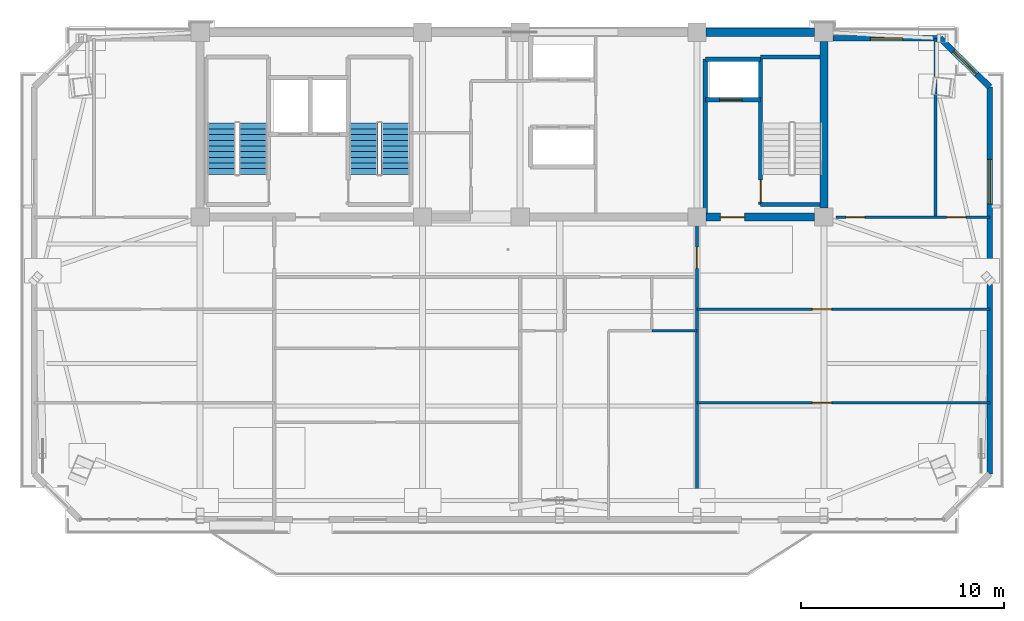
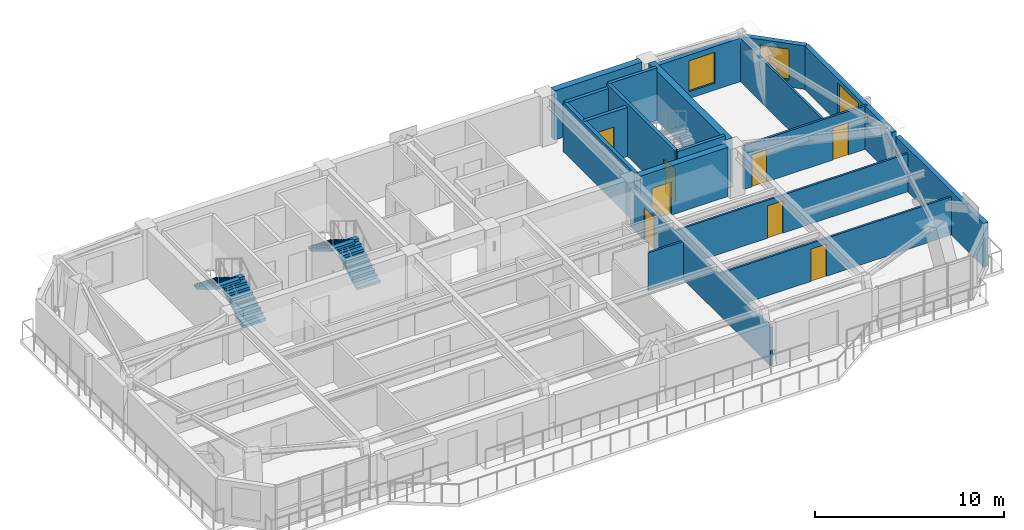
# One storey, part 8 of 12: 19 walls, 8 doors, 4 stair flights, 3 windows, 11 openings, 2 elements without a shape of their own.
"""IFC4 building model written with IfcOpenShell, lengths in metres."""

from ifc_helpers import new_model, si_unit, direction, frame, frame_2d, origin, place, context, subcontext, project, spatial, polyline, rectangle, outline, extrude, source, transform, mapped, material, layer, layer_set, type_object, element, fill, aggregate, save


model = new_model("IFC4")

# Units and contexts
model_context = context("Model", 3, precision=1e-05, world=origin(), true_north=direction((0.0, 1.0)))
body_context = subcontext(model_context, "Body", "Model", "MODEL_VIEW")
ifc_project = project(units=[si_unit("LENGTHUNIT", "METRE"), si_unit("AREAUNIT", "SQUARE_METRE"), si_unit("VOLUMEUNIT", "CUBIC_METRE"), si_unit("PLANEANGLEUNIT", "RADIAN"), si_unit("MASSUNIT", "GRAM", prefix="KILO")], contexts=[model_context])

# Site, building, storey
site_placement = place(None, origin())
site = spatial("IfcSite", under=ifc_project, at=site_placement, CompositionType="ELEMENT")
building_placement = place(site_placement, origin())
building = spatial("IfcBuilding", under=site, at=building_placement, Name="Giltprow Tower", CompositionType="ELEMENT")
storey_placement = place(building_placement, frame((0.0, 0.0, 342.5)))
storey = spatial("IfcBuildingStorey", under=building, at=storey_placement, Name="L89", CompositionType="ELEMENT", Elevation=342.5)

# Wall, opening, window
ifc_material_1 = material(Name="Precast concrete C40", Category="concrete")
ifc_layer_1 = layer(ifc_material_1, 0.300048828125, Name="Precast concrete C40")
ifc_layer_set_1 = layer_set([ifc_layer_1], Name="Precast concrete C40")
wall_type_1 = type_object("IfcWallType", Name="EW-NOTCH-CHAMFER-300", PredefinedType="SOLIDWALL", material=ifc_layer_set_1)
wall_1_placement = place(storey_placement, frame((58.715087890625, 43.85400390625, 0.0), z_axis=(0.0, 0.0, 1.0), x_axis=(-0.714377494024, 0.699760527632, 0.0)))
wall_1 = element("IfcWall", 1, at=wall_1_placement, inside=storey, type_object=wall_type_1, Name="L89 Corner Notch Wall NE", PredefinedType="SOLIDWALL", context=body_context, shape_type="SweptSolid", body=[
    extrude(rectangle(XDim=3.424072265625, YDim=0.300048828125, at=frame_2d((1.7119140625, 0.0))), origin(), (0.0, 0.0, 1.0), 2.81494140625),
])
opening_1_placement = place(wall_1_placement, frame((0.912109375, 0.0, 0.449951171875)))
opening_1 = element("IfcOpeningElement", 2, at=opening_1_placement, cuts=wall_1, Name="Opening WN17", PredefinedType="OPENING", context=body_context, shape_type="SweptSolid", body=[
    extrude(rectangle(XDim=1.60009765625, YDim=2.0, at=frame_2d((0.800048828125, 1.0))), frame((0.0, 0.159912109375, 0.0), z_axis=(0.0, -1.0, 0.0), x_axis=(1.0, 0.0, 0.0)), (0.0, 0.0, 1.0), 0.320068359375),
])
ifc_material_2 = material(Name="Insulated glass", Category="glass")
window_type_1 = type_object("IfcWindowType", Name="WN-COR-1600x2000", PartitioningType="SINGLE_PANEL", PredefinedType="WINDOW", material=ifc_material_2)
shared_shape_1 = source(origin(), body_context, "Body", "SweptSolid", [
    extrude(rectangle(XDim=1.60009765625, YDim=2.0, at=frame_2d((0.800048828125, 1.0))), frame((0.0, 0.030029296875, 0.0), z_axis=(0.0, -1.0, 0.0), x_axis=(1.0, 0.0, 0.0)), (0.0, 0.0, 1.0), 0.06005859375),
])
window_1_placement = place(opening_1_placement, origin())
window_1 = element("IfcWindow", 3, at=window_1_placement, inside=storey, type_object=window_type_1, Name="L89 Corner Notch Window NE", OverallHeight=2.0, OverallWidth=1.60009765625, PartitioningType="SINGLE_PANEL", PredefinedType="WINDOW", context=body_context, shape_type="MappedRepresentation", body=[
    mapped(shared_shape_1, transform((0.0, 0.0, 0.0), x_axis=(1.0, 0.0, 0.0), y_axis=(0.0, 1.0, 0.0), z_axis=(0.0, 0.0, 1.0), scale=1.0)),
])
fill(opening_1, window_1)

# Wall
ifc_layer_2 = layer(ifc_material_1, 0.280029296875, Name="Precast concrete C40")
ifc_layer_set_2 = layer_set([ifc_layer_2], Name="Precast concrete C40")
wall_type_2 = type_object("IfcWallType", Name="EW-TOW-BRONZE-280", PredefinedType="SOLIDWALL", material=ifc_layer_set_2)
wall_2_placement = place(storey_placement, frame((58.715087890625, 24.81396484375, 0.0), z_axis=(0.0, 0.0, 1.0), x_axis=(0.0, 1.0, 0.0)))
element("IfcWall", 4, at=wall_2_placement, inside=storey, type_object=wall_type_2, Name="L89 E Wing Masonry Wall 1", PredefinedType="SOLIDWALL", context=body_context, shape_type="SweptSolid", body=[
    extrude(rectangle(XDim=9.320068359375, YDim=0.280029296875, at=frame_2d((4.66015625, 0.0))), origin(), (0.0, 0.0, 1.0), 2.81494140625),
])

# Wall, opening, window
wall_3_placement = place(storey_placement, frame((58.715087890625, 34.533935546875, 0.0), z_axis=(0.0, 0.0, 1.0), x_axis=(0.0, 1.0, 0.0)))
wall_3 = element("IfcWall", 5, at=wall_3_placement, inside=storey, type_object=wall_type_2, Name="L89 E Wing Masonry Wall 2", PredefinedType="SOLIDWALL", context=body_context, shape_type="SweptSolid", body=[
    extrude(rectangle(XDim=9.320068359375, YDim=0.280029296875, at=frame_2d((4.66015625, 0.0))), origin(), (0.0, 0.0, 1.0), 2.81494140625),
])
opening_2_placement = place(wall_3_placement, frame((3.56005859375, 0.0, 0.449951171875)))
opening_2 = element("IfcOpeningElement", 6, at=opening_2_placement, cuts=wall_3, Name="Opening WN27", PredefinedType="OPENING", context=body_context, shape_type="SweptSolid", body=[
    extrude(rectangle(XDim=2.199951171875, YDim=2.10009765625, at=frame_2d((1.10009765625, 1.050048828125))), frame((0.0, 0.14990234375, 0.0), z_axis=(0.0, -1.0, 0.0), x_axis=(1.0, 0.0, 0.0)), (0.0, 0.0, 1.0), 0.300048828125),
])
window_type_2 = type_object("IfcWindowType", Name="WN-RES-2200x2100", PartitioningType="TRIPLE_PANEL_VERTICAL", PredefinedType="WINDOW", material=ifc_material_2)
shared_shape_2 = source(origin(), body_context, "Body", "SweptSolid", [
    extrude(rectangle(XDim=2.199951171875, YDim=2.10009765625, at=frame_2d((1.10009765625, 1.050048828125))), frame((0.0, 0.030029296875, 0.0), z_axis=(0.0, -1.0, 0.0), x_axis=(1.0, 0.0, 0.0)), (0.0, 0.0, 1.0), 0.06005859375),
])
window_2_placement = place(opening_2_placement, origin())
window_2 = element("IfcWindow", 7, at=window_2_placement, inside=storey, type_object=window_type_2, Name="L89 E Wing Window 2-1", OverallHeight=2.10009765625, OverallWidth=2.199951171875, PartitioningType="SINGLE_PANEL", PredefinedType="WINDOW", context=body_context, shape_type="MappedRepresentation", body=[
    mapped(shared_shape_2, transform((0.0, 0.0, 0.0), x_axis=(1.0, 0.0, 0.0), y_axis=(0.0, 1.0, 0.0), z_axis=(0.0, 0.0, 1.0), scale=1.0)),
])
fill(opening_2, window_2)

wall_4_placement = place(storey_placement, frame((51.0, 46.25, 0.0), z_axis=(0.0, 0.0, 1.0), x_axis=(1.0, 0.0, 0.0)))
wall_4 = element("IfcWall", 8, at=wall_4_placement, inside=storey, type_object=wall_type_2, Name="L89 North-East Wing Wall", PredefinedType="SOLIDWALL", context=body_context, shape_type="SweptSolid", body=[
    extrude(rectangle(XDim=5.26904296875, YDim=0.280029296875, at=frame_2d((2.634521484375, 0.0))), origin(), (0.0, 0.0, 1.0), 2.81494140625),
])
opening_3_placement = place(wall_4_placement, frame((1.833984375, 0.0, 0.449951171875)))
opening_3 = element("IfcOpeningElement", 9, at=opening_3_placement, cuts=wall_4, Name="Opening WN17", PredefinedType="OPENING", context=body_context, shape_type="SweptSolid", body=[
    extrude(rectangle(XDim=1.60009765625, YDim=2.0, at=frame_2d((0.800048828125, 1.0))), frame((0.0, 0.14990234375, 0.0), z_axis=(0.0, -1.0, 0.0), x_axis=(1.0, 0.0, 0.0)), (0.0, 0.0, 1.0), 0.300048828125),
])
window_3_placement = place(opening_3_placement, origin())
window_3 = element("IfcWindow", 10, at=window_3_placement, inside=storey, type_object=window_type_1, Name="L89 North-East Window", OverallHeight=2.0, OverallWidth=1.60009765625, PartitioningType="SINGLE_PANEL", PredefinedType="WINDOW", context=body_context, shape_type="MappedRepresentation", body=[
    mapped(shared_shape_1, transform((0.0, 0.0, 0.0), x_axis=(1.0, 0.0, 0.0), y_axis=(0.0, 1.0, 0.0), z_axis=(0.0, 0.0, 1.0), scale=1.0)),
])
fill(opening_3, window_3)

# Wall, opening, door
ifc_material_3 = material(Name="Gypsum stud partition", Category="gypsum")
ifc_layer_3 = layer(ifc_material_3, 0.159912109375, Name="Gypsum stud partition")
ifc_layer_set_3 = layer_set([ifc_layer_3], Name="Gypsum stud partition")
wall_type_3 = type_object("IfcWallType", Name="IW-DEMISE-160", PredefinedType="PARTITIONING", material=ifc_layer_set_3)
wall_5_placement = place(storey_placement, frame((44.300048828125, 22.568115234375, 0.0), z_axis=(0.0, 0.0, 1.0), x_axis=(0.0, 1.0, 0.0)))
wall_5 = element("IfcWall", 11, at=wall_5_placement, inside=storey, type_object=wall_type_3, Name="L89 Apartment Party Wall 3", PredefinedType="PARTITIONING", context=body_context, shape_type="SweptSolid", body=[
    extrude(rectangle(XDim=14.8818359375, YDim=0.159912109375, at=frame_2d((7.44091796875, 0.0))), origin(), (0.0, 0.0, 1.0), 2.469970703125),
])
opening_4_placement = place(wall_5_placement, frame((12.35205078125, 0.0, 0.0)))
opening_4 = element("IfcOpeningElement", 12, at=opening_4_placement, cuts=wall_5, Name="Opening ID31", PredefinedType="OPENING", context=body_context, shape_type="SweptSolid", body=[
    extrude(rectangle(XDim=1.050048828125, YDim=2.14990234375, at=frame_2d((0.52490234375, 1.074951171875))), frame((0.0, 0.08984375, 0.0), z_axis=(0.0, -1.0, 0.0), x_axis=(1.0, 0.0, 0.0)), (0.0, 0.0, 1.0), 0.179931640625),
])
ifc_material_4 = material(Name="Engineered timber", Category="wood")
door_type_1 = type_object("IfcDoorType", Name="DR-SUITE-1050", OperationType="SINGLE_SWING_LEFT", PredefinedType="DOOR", material=ifc_material_4)
shared_shape_3 = source(origin(), body_context, "Body", "SweptSolid", [
    extrude(rectangle(XDim=1.050048828125, YDim=2.14990234375, at=frame_2d((0.52490234375, 1.074951171875))), frame((0.0, 0.02490234375, 0.0), z_axis=(0.0, -1.0, 0.0), x_axis=(1.0, 0.0, 0.0)), (0.0, 0.0, 1.0), 0.050048828125),
])
door_1_placement = place(opening_4_placement, origin())
door_1 = element("IfcDoor", 13, at=door_1_placement, inside=storey, type_object=door_type_1, Name="L89 Rare Books Boutique Shop 2 Corridor End Door", OperationType="SINGLE_SWING_LEFT", OverallHeight=2.14990234375, OverallWidth=1.050048828125, PredefinedType="DOOR", context=body_context, shape_type="MappedRepresentation", body=[
    mapped(shared_shape_3, transform((0.0, 0.0, 0.0), x_axis=(1.0, 0.0, 0.0), y_axis=(0.0, 1.0, 0.0), z_axis=(0.0, 0.0, 1.0), scale=1.0)),
])
fill(opening_4, door_1)

ifc_layer_4 = layer(ifc_material_3, 0.1201171875, Name="Gypsum stud partition")
ifc_layer_set_4 = layer_set([ifc_layer_4], Name="Gypsum stud partition")
wall_type_4 = type_object("IfcWallType", Name="IW-ROOM-120", PredefinedType="PARTITIONING", material=ifc_layer_set_4)
wall_6_placement = place(storey_placement, frame((44.300048828125, 28.306884765625, 0.0), z_axis=(0.0, 0.0, 1.0), x_axis=(1.0, 0.0, 0.0)))
wall_6 = element("IfcWall", 14, at=wall_6_placement, inside=storey, type_object=wall_type_4, Name="L89 Special Split 1", PredefinedType="PARTITIONING", context=body_context, shape_type="SweptSolid", body=[
    extrude(rectangle(XDim=14.4150390625, YDim=0.1201171875, at=frame_2d((7.20751953125, 0.0))), origin(), (0.0, 0.0, 1.0), 2.469970703125),
])
opening_5_placement = place(wall_6_placement, frame((5.68603515625, 0.0, 0.0)))
opening_5 = element("IfcOpeningElement", 15, at=opening_5_placement, cuts=wall_6, Name="Opening ID11", PredefinedType="OPENING", context=body_context, shape_type="SweptSolid", body=[
    extrude(rectangle(XDim=0.949951171875, YDim=2.10009765625, at=frame_2d((0.47509765625, 1.050048828125))), frame((0.0, 0.070068359375, 0.0), z_axis=(0.0, -1.0, 0.0), x_axis=(1.0, 0.0, 0.0)), (0.0, 0.0, 1.0), 0.14013671875),
])
door_type_2 = type_object("IfcDoorType", Name="DR-ROOM-950", OperationType="SINGLE_SWING_RIGHT", PredefinedType="DOOR", material=ifc_material_4)
shared_shape_4 = source(origin(), body_context, "Body", "SweptSolid", [
    extrude(rectangle(XDim=0.949951171875, YDim=2.10009765625, at=frame_2d((0.47509765625, 1.050048828125))), frame((0.0, 0.02490234375, 0.0), z_axis=(0.0, -1.0, 0.0), x_axis=(1.0, 0.0, 0.0)), (0.0, 0.0, 1.0), 0.050048828125),
])
door_2_placement = place(opening_5_placement, origin())
door_2 = element("IfcDoor", 16, at=door_2_placement, inside=storey, type_object=door_type_2, Name="L89 Rare Books Boutique Shop 2 South Door", OperationType="SINGLE_SWING_LEFT", OverallHeight=2.10009765625, OverallWidth=0.949951171875, PredefinedType="DOOR", context=body_context, shape_type="MappedRepresentation", body=[
    mapped(shared_shape_4, transform((0.0, 0.0, 0.0), x_axis=(1.0, 0.0, 0.0), y_axis=(0.0, 1.0, 0.0), z_axis=(0.0, 0.0, 1.0), scale=1.0)),
])
fill(opening_5, door_2)

wall_7_placement = place(storey_placement, frame((44.300048828125, 32.9140625, 0.0), z_axis=(0.0, 0.0, 1.0), x_axis=(1.0, 0.0, 0.0)))
wall_7 = element("IfcWall", 17, at=wall_7_placement, inside=storey, type_object=wall_type_4, Name="L89 Special Split 2", PredefinedType="PARTITIONING", context=body_context, shape_type="SweptSolid", body=[
    extrude(rectangle(XDim=14.4150390625, YDim=0.1201171875, at=frame_2d((7.20751953125, 0.0))), origin(), (0.0, 0.0, 1.0), 2.469970703125),
])
opening_6_placement = place(wall_7_placement, frame((5.68603515625, 0.0, 0.0)))
opening_6 = element("IfcOpeningElement", 18, at=opening_6_placement, cuts=wall_7, Name="Opening ID11", PredefinedType="OPENING", context=body_context, shape_type="SweptSolid", body=[
    extrude(rectangle(XDim=0.949951171875, YDim=2.10009765625, at=frame_2d((0.47509765625, 1.050048828125))), frame((0.0, 0.070068359375, 0.0), z_axis=(0.0, -1.0, 0.0), x_axis=(1.0, 0.0, 0.0)), (0.0, 0.0, 1.0), 0.14013671875),
])
door_3_placement = place(opening_6_placement, origin())
door_3 = element("IfcDoor", 19, at=door_3_placement, inside=storey, type_object=door_type_2, Name="L89 Rare Books Boutique Shop 2 Mid Door", OperationType="SINGLE_SWING_RIGHT", OverallHeight=2.10009765625, OverallWidth=0.949951171875, PredefinedType="DOOR", context=body_context, shape_type="MappedRepresentation", body=[
    mapped(shared_shape_4, transform((0.0, 0.0, 0.0), x_axis=(1.0, 0.0, 0.0), y_axis=(0.0, 1.0, 0.0), z_axis=(0.0, 0.0, 1.0), scale=1.0)),
])
fill(opening_6, door_3)

ifc_material_5 = material(Name="Concrete C40", Category="concrete")
ifc_layer_5 = layer(ifc_material_5, 0.219970703125, Name="Concrete C40")
ifc_layer_set_5 = layer_set([ifc_layer_5], Name="Concrete C40")
wall_type_5 = type_object("IfcWallType", Name="IW-SHAFT-220", PredefinedType="SOLIDWALL", material=ifc_layer_set_5)
wall_8_placement = place(storey_placement, frame((44.719970703125, 43.219970703125, 0.0), z_axis=(0.0, 0.0, 1.0), x_axis=(1.0, 0.0, 0.0)))
wall_8 = element("IfcWall", 20, at=wall_8_placement, inside=storey, type_object=wall_type_5, Name="L89 FFL2 Front Shaft Wall", PredefinedType="SOLIDWALL", context=body_context, shape_type="SweptSolid", body=[
    extrude(rectangle(XDim=2.719970703125, YDim=0.219970703125, at=frame_2d((1.35986328125, 0.0))), origin(), (0.0, 0.0, 1.0), 3.18505859375),
])
opening_7_placement = place(wall_8_placement, frame((0.699951171875, 0.0, 0.0)))
opening_7 = element("IfcOpeningElement", 21, at=opening_7_placement, cuts=wall_8, Name="Opening LD-11", PredefinedType="OPENING", context=body_context, shape_type="SweptSolid", body=[
    extrude(rectangle(XDim=1.10009765625, YDim=2.199951171875, at=frame_2d((0.550048828125, 1.10009765625))), frame((0.0, 0.119873046875, 0.0), z_axis=(0.0, -1.0, 0.0), x_axis=(1.0, 0.0, 0.0)), (0.0, 0.0, 1.0), 0.239990234375),
])
ifc_material_6 = material(Name="Stainless steel", Category="steel")
door_type_3 = type_object("IfcDoorType", Name="DR-LIFT-LD1100", OperationType="SLIDING_TO_LEFT", PredefinedType="DOOR", material=ifc_material_6)
shared_shape_5 = source(origin(), body_context, "Body", "SweptSolid", [
    extrude(rectangle(XDim=1.10009765625, YDim=2.199951171875, at=frame_2d((0.550048828125, 1.10009765625))), frame((0.0, 0.02490234375, 0.0), z_axis=(0.0, -1.0, 0.0), x_axis=(1.0, 0.0, 0.0)), (0.0, 0.0, 1.0), 0.050048828125),
])
door_4_placement = place(opening_7_placement, origin())
door_4 = element("IfcDoor", 22, at=door_4_placement, inside=storey, type_object=door_type_3, Name="L89 FFL2 Landing Door", OperationType="SLIDING_TO_LEFT", OverallHeight=2.199951171875, OverallWidth=1.10009765625, PredefinedType="DOOR", context=body_context, shape_type="MappedRepresentation", body=[
    mapped(shared_shape_5, transform((0.0, 0.0, 0.0), x_axis=(1.0, 0.0, 0.0), y_axis=(0.0, 1.0, 0.0), z_axis=(0.0, 0.0, 1.0), scale=1.0)),
])
fill(opening_7, door_4)

# Walls
wall_9_placement = place(storey_placement, frame((44.719970703125, 45.219970703125, 0.0), z_axis=(0.0, 0.0, 1.0), x_axis=(1.0, 0.0, 0.0)))
element("IfcWall", 23, at=wall_9_placement, inside=storey, type_object=wall_type_5, Name="L89 FFL2 Back Shaft Wall", PredefinedType="SOLIDWALL", context=body_context, shape_type="SweptSolid", body=[
    extrude(rectangle(XDim=2.719970703125, YDim=0.219970703125, at=frame_2d((1.35986328125, 0.0))), origin(), (0.0, 0.0, 1.0), 3.18505859375),
])
wall_10_placement = place(storey_placement, frame((44.719970703125, 37.6298828125, 0.0), z_axis=(0.0, 0.0, 1.0), x_axis=(0.0, 1.0, 0.0)))
element("IfcWall", 24, at=wall_10_placement, inside=storey, type_object=wall_type_5, Name="L89 East Firefighting Lobby West Wall", PredefinedType="SOLIDWALL", context=body_context, shape_type="SweptSolid", body=[
    extrude(rectangle(XDim=7.590087890625, YDim=0.219970703125, at=frame_2d((3.794921875, 0.0))), origin(), (0.0, 0.0, 1.0), 3.18505859375),
])

# Wall, opening, door
ifc_layer_6 = layer(ifc_material_5, 0.199951171875, Name="Concrete C40")
ifc_layer_set_6 = layer_set([ifc_layer_6], Name="Concrete C40")
wall_type_6 = type_object("IfcWallType", Name="IW-STAIR-200", PredefinedType="SOLIDWALL", material=ifc_layer_set_6)
wall_11_placement = place(storey_placement, frame((47.43994140625, 38.070068359375, 0.0), z_axis=(0.0, 0.0, 1.0), x_axis=(0.0, 1.0, 0.0)))
wall_11 = element("IfcWall", 25, at=wall_11_placement, inside=storey, type_object=wall_type_6, Name="L89 Stair ST-3 West Bearing Wall", PredefinedType="SOLIDWALL", context=body_context, shape_type="SweptSolid", body=[
    extrude(rectangle(XDim=7.25, YDim=0.199951171875, at=frame_2d((3.625, 0.0))), origin(), (0.0, 0.0, 1.0), 3.39990234375),
])
opening_8_placement = place(wall_11_placement, frame((0.110107421875, 0.0, 0.0)))
opening_8 = element("IfcOpeningElement", 26, at=opening_8_placement, cuts=wall_11, Name="Opening ID33", PredefinedType="OPENING", context=body_context, shape_type="SweptSolid", body=[
    extrude(rectangle(XDim=1.10009765625, YDim=2.14990234375, at=frame_2d((0.550048828125, 1.074951171875))), frame((0.0, 0.10986328125, 0.0), z_axis=(0.0, -1.0, 0.0), x_axis=(1.0, 0.0, 0.0)), (0.0, 0.0, 1.0), 0.219970703125),
])
ifc_material_7 = material(Name="Steel fire leaf", Category="steel")
door_type_4 = type_object("IfcDoorType", Name="DR-STAIR-1100", OperationType="SINGLE_SWING_LEFT", PredefinedType="DOOR", material=ifc_material_7)
shared_shape_6 = source(origin(), body_context, "Body", "SweptSolid", [
    extrude(rectangle(XDim=1.10009765625, YDim=2.14990234375, at=frame_2d((0.550048828125, 1.074951171875))), frame((0.0, 0.02490234375, 0.0), z_axis=(0.0, -1.0, 0.0), x_axis=(1.0, 0.0, 0.0)), (0.0, 0.0, 1.0), 0.050048828125),
])
door_5_placement = place(opening_8_placement, origin())
door_5 = element("IfcDoor", 27, at=door_5_placement, inside=storey, type_object=door_type_4, Name="L89 Stair ST-3 Fire Door", OperationType="SINGLE_SWING_LEFT", OverallHeight=2.14990234375, OverallWidth=1.10009765625, PredefinedType="DOOR", context=body_context, shape_type="MappedRepresentation", body=[
    mapped(shared_shape_6, transform((0.0, 0.0, 0.0), x_axis=(1.0, 0.0, 0.0), y_axis=(0.0, 1.0, 0.0), z_axis=(0.0, 0.0, 1.0), scale=1.0)),
])
fill(opening_8, door_5)

# Walls
for number, where, z_axis, x_axis, name in (
    (28, (47.43994140625, 45.320068359375, 0.0), (0.0, 0.0, 1.0), (1.0, 0.0, 0.0), "L89 Stair ST-3 North Bearing Wall"),
    (29, (47.43994140625, 38.070068359375, 0.0), (0.0, 0.0, 1.0), (1.0, 0.0, 0.0), "L89 Stair ST-3 South Bearing Wall"),
):
    element("IfcWall", number, at=place(storey_placement, frame(where, z_axis=z_axis, x_axis=x_axis)), inside=storey, type_object=wall_type_6, Name=name, PredefinedType="SOLIDWALL", context=body_context, shape_type="SweptSolid", body=[
        extrude(rectangle(XDim=2.93017578125, YDim=0.199951171875, at=frame_2d((1.465087890625, 0.0))), origin(), (0.0, 0.0, 1.0), 3.39990234375),
    ])
ifc_material_8 = material(Name="Concrete C30", Category="concrete")
ifc_layer_7 = layer(ifc_material_8, 0.1298828125, Name="Concrete C30")
ifc_layer_set_7 = layer_set([ifc_layer_7], Name="Concrete C30")
wall_type_7 = type_object("IfcWallType", Name="IW-WET-130", PredefinedType="PARTITIONING", material=ifc_layer_set_7)
wall_12_placement = place(storey_placement, frame((42.0849609375, 31.85009765625, 0.0), z_axis=(0.0, 0.0, 1.0), x_axis=(1.0, 0.0, 0.0)))
element("IfcWall", 30, at=wall_12_placement, inside=storey, type_object=wall_type_7, Name="L89 Unit 1 Bathroom South Wall", PredefinedType="PARTITIONING", context=body_context, shape_type="SweptSolid", body=[
    extrude(rectangle(XDim=2.215087890625, YDim=0.1298828125, at=frame_2d((1.107421875, 0.0))), origin(), (0.0, 0.0, 1.0), 2.469970703125),
])

# Wall, openings, doors
wall_13_placement = place(storey_placement, frame((51.14990234375, 37.449951171875, 0.0), z_axis=(0.0, 0.0, 1.0), x_axis=(1.0, 0.0, 0.0)))
wall_13 = element("IfcWall", 31, at=wall_13_placement, inside=storey, type_object=wall_type_7, Name="L89 NE Wing South Wall", PredefinedType="PARTITIONING", context=body_context, shape_type="SweptSolid", body=[
    extrude(rectangle(XDim=7.565185546875, YDim=0.1298828125, at=frame_2d((3.78271484375, 0.0))), origin(), (0.0, 0.0, 1.0), 2.820068359375),
])
opening_9_placement = place(wall_13_placement, frame((0.5, 0.0, 0.0)))
opening_9 = element("IfcOpeningElement", 32, at=opening_9_placement, cuts=wall_13, Name="Opening ID15", PredefinedType="OPENING", context=body_context, shape_type="SweptSolid", body=[
    extrude(rectangle(XDim=0.89990234375, YDim=2.10009765625, at=frame_2d((0.449951171875, 1.050048828125))), frame((0.0, 0.074951171875, 0.0), z_axis=(0.0, -1.0, 0.0), x_axis=(1.0, 0.0, 0.0)), (0.0, 0.0, 1.0), 0.14990234375),
])
opening_10_placement = place(wall_13_placement, frame((5.445068359375, 0.0, 0.0)))
opening_10 = element("IfcOpeningElement", 33, at=opening_10_placement, cuts=wall_13, Name="Opening ID11", PredefinedType="OPENING", context=body_context, shape_type="SweptSolid", body=[
    extrude(rectangle(XDim=0.949951171875, YDim=2.10009765625, at=frame_2d((0.47509765625, 1.050048828125))), frame((0.0, 0.074951171875, 0.0), z_axis=(0.0, -1.0, 0.0), x_axis=(1.0, 0.0, 0.0)), (0.0, 0.0, 1.0), 0.14990234375),
])
door_type_5 = type_object("IfcDoorType", Name="DR-WC-900", OperationType="SINGLE_SWING_LEFT", PredefinedType="DOOR", material=ifc_material_4)
shared_shape_7 = source(origin(), body_context, "Body", "SweptSolid", [
    extrude(rectangle(XDim=0.89990234375, YDim=2.10009765625, at=frame_2d((0.449951171875, 1.050048828125))), frame((0.0, 0.02490234375, 0.0), z_axis=(0.0, -1.0, 0.0), x_axis=(1.0, 0.0, 0.0)), (0.0, 0.0, 1.0), 0.050048828125),
])
door_6_placement = place(opening_9_placement, origin())
door_6 = element("IfcDoor", 34, at=door_6_placement, inside=storey, type_object=door_type_5, Name="L89 East Wing Washroom Door", OperationType="SINGLE_SWING_RIGHT", OverallHeight=2.10009765625, OverallWidth=0.89990234375, PredefinedType="DOOR", context=body_context, shape_type="MappedRepresentation", body=[
    mapped(shared_shape_7, transform((0.0, 0.0, 0.0), x_axis=(1.0, 0.0, 0.0), y_axis=(0.0, 1.0, 0.0), z_axis=(0.0, 0.0, 1.0), scale=1.0)),
])
fill(opening_9, door_6)
door_7_placement = place(opening_10_placement, origin())
door_7 = element("IfcDoor", 35, at=door_7_placement, inside=storey, type_object=door_type_2, Name="L89 Residents Reading Lounge Door", OperationType="SINGLE_SWING_LEFT", OverallHeight=2.10009765625, OverallWidth=0.949951171875, PredefinedType="DOOR", context=body_context, shape_type="MappedRepresentation", body=[
    mapped(shared_shape_4, transform((0.0, 0.0, 0.0), x_axis=(1.0, 0.0, 0.0), y_axis=(0.0, 1.0, 0.0), z_axis=(0.0, 0.0, 1.0), scale=1.0)),
])
fill(opening_10, door_7)

# Walls
wall_14_placement = place(storey_placement, frame((56.044921875, 37.449951171875, 0.0), z_axis=(0.0, 0.0, 1.0), x_axis=(0.0, 1.0, 0.0)))
element("IfcWall", 36, at=wall_14_placement, inside=storey, type_object=wall_type_7, Name="L89 NE Wing Divider", PredefinedType="PARTITIONING", context=body_context, shape_type="SweptSolid", body=[
    extrude(rectangle(XDim=8.800048828125, YDim=0.1298828125, at=frame_2d((4.39990234375, 0.0))), origin(), (0.0, 0.0, 1.0), 2.820068359375),
])
ifc_material_9 = material(Name="Concrete C45", Category="concrete")
ifc_layer_8 = layer(ifc_material_9, 0.39990234375, Name="Concrete C45")
ifc_layer_set_8 = layer_set([ifc_layer_8], Name="Concrete C45")
wall_type_8 = type_object("IfcWallType", Name="SW-EXT-400-C45", PredefinedType="SHEAR", material=ifc_layer_set_8)
wall_15_placement = place(storey_placement, frame((44.75, 46.550048828125, 0.0), z_axis=(0.0, 0.0, 1.0), x_axis=(1.0, 0.0, 0.0)))
element("IfcWall", 37, at=wall_15_placement, inside=storey, type_object=wall_type_8, Name="L89 North Rear Core Shear Wall 4", PredefinedType="SHEAR", context=body_context, shape_type="SweptSolid", body=[
    extrude(rectangle(XDim=5.35009765625, YDim=0.39990234375, at=frame_2d((2.675048828125, 0.0))), origin(), (0.0, 0.0, 1.0), 3.18505859375),
])

# Wall, opening, door
ifc_layer_9 = layer(ifc_material_9, 0.39990234375, Name="Concrete C45")
ifc_layer_set_9 = layer_set([ifc_layer_9], Name="Concrete C45")
wall_type_9 = type_object("IfcWallType", Name="SW-INT-400-C45", PredefinedType="SHEAR", material=ifc_layer_set_9)
wall_16_placement = place(storey_placement, frame((44.75, 37.449951171875, 0.0), z_axis=(0.0, 0.0, 1.0), x_axis=(1.0, 0.0, 0.0)))
wall_16 = element("IfcWall", 38, at=wall_16_placement, inside=storey, type_object=wall_type_9, Name="L89 South Rear Core Shear Wall East", PredefinedType="SHEAR", context=body_context, shape_type="SweptSolid", body=[
    extrude(rectangle(XDim=5.35009765625, YDim=0.39990234375, at=frame_2d((2.675048828125, 0.0))), origin(), (0.0, 0.0, 1.0), 3.18505859375),
])
opening_11_placement = place(wall_16_placement, frame((0.699951171875, 0.0, 0.0)))
opening_11 = element("IfcOpeningElement", 39, at=opening_11_placement, cuts=wall_16, Name="Opening ID19", PredefinedType="OPENING", context=body_context, shape_type="SweptSolid", body=[
    extrude(rectangle(XDim=1.199951171875, YDim=2.14990234375, at=frame_2d((0.60009765625, 1.074951171875))), frame((0.0, 0.2099609375, 0.0), z_axis=(0.0, -1.0, 0.0), x_axis=(1.0, 0.0, 0.0)), (0.0, 0.0, 1.0), 0.419921875),
])
door_type_6 = type_object("IfcDoorType", Name="DR-FFLOBBY-1200", OperationType="SINGLE_SWING_RIGHT", PredefinedType="DOOR", material=ifc_material_7)
shared_shape_8 = source(origin(), body_context, "Body", "SweptSolid", [
    extrude(rectangle(XDim=1.199951171875, YDim=2.14990234375, at=frame_2d((0.60009765625, 1.074951171875))), frame((0.0, 0.02490234375, 0.0), z_axis=(0.0, -1.0, 0.0), x_axis=(1.0, 0.0, 0.0)), (0.0, 0.0, 1.0), 0.050048828125),
])
door_8_placement = place(opening_11_placement, origin())
door_8 = element("IfcDoor", 40, at=door_8_placement, inside=storey, type_object=door_type_6, Name="L89 East Firefighting Lobby Entry Door", OperationType="SINGLE_SWING_RIGHT", OverallHeight=2.14990234375, OverallWidth=1.199951171875, PredefinedType="DOOR", context=body_context, shape_type="MappedRepresentation", body=[
    mapped(shared_shape_8, transform((0.0, 0.0, 0.0), x_axis=(1.0, 0.0, 0.0), y_axis=(0.0, 1.0, 0.0), z_axis=(0.0, 0.0, 1.0), scale=1.0)),
])
fill(opening_11, door_8)

# Wall
wall_17_placement = place(storey_placement, frame((50.550048828125, 37.89990234375, 0.0), z_axis=(0.0, 0.0, 1.0), x_axis=(0.0, 1.0, 0.0)))
element("IfcWall", 41, at=wall_17_placement, inside=storey, type_object=wall_type_9, Name="L89 E Rear Core Shear Wall", PredefinedType="SHEAR", context=body_context, shape_type="SweptSolid", body=[
    extrude(rectangle(XDim=8.2001953125, YDim=0.39990234375, at=frame_2d((4.10009765625, 0.0))), origin(), (0.0, 0.0, 1.0), 3.18505859375),
])

# Stair, stair flights
stair_type_1 = type_object("IfcStairType", Name="STR-ST-1", PredefinedType="HALF_TURN_STAIR", material=ifc_material_5)
stair_1_placement = place(storey_placement, origin())
stair_1 = element("IfcStair", 42, at=stair_1_placement, inside=storey, type_object=stair_type_1, Name="L89 Core Exit Stair ST-1", PredefinedType="HALF_TURN_STAIR")
stair_flight_type_1 = type_object("IfcStairFlightType", Name="SFL-ST-1", PredefinedType="STRAIGHT", material=ifc_material_5)
stair_flight_1_placement = place(storey_placement, frame((22.4599609375, 39.550048828125, 0.0), z_axis=(0.0, 0.0, 1.0), x_axis=(0.0, 1.0, 0.0)))
stair_flight_1 = element("IfcStairFlight", 43, at=stair_flight_1_placement, type_object=stair_flight_type_1, Name="ST-1 flight 1", NumberOfRisers=10, NumberOfTreads=9, PredefinedType="STRAIGHT", RiserHeight=0.17, TreadLength=0.28, context=body_context, shape_type="SweptSolid", body=[
    extrude(outline(polyline([(0.0, 0.0), (0.0, 0.169921875), (0.280029296875, 0.169921875), (0.280029296875, 0.340087890625), (0.56005859375, 0.340087890625), (0.56005859375, 0.510009765625), (0.840087890625, 0.510009765625), (0.840087890625, 0.679931640625), (1.1201171875, 0.679931640625), (1.1201171875, 0.85009765625), (1.39990234375, 0.85009765625), (1.39990234375, 1.02001953125), (1.679931640625, 1.02001953125), (1.679931640625, 1.18994140625), (1.9599609375, 1.18994140625), (1.9599609375, 1.360107421875), (2.239990234375, 1.360107421875), (2.239990234375, 1.530029296875), (2.52001953125, 1.530029296875), (2.52001953125, 1.699951171875), (2.52001953125, 1.354736328125), (0.288818359375, 0.0), (0.0, 0.0)])), frame((0.0, 0.699951171875, 0.0), z_axis=(0.0, -1.0, 0.0), x_axis=(1.0, 0.0, 0.0)), (0.0, 0.0, 1.0), 1.39990234375),
])
stair_flight_2_placement = place(storey_placement, frame((20.89990234375, 42.070068359375, 1.699951171875), z_axis=(0.0, 0.0, 1.0), x_axis=(0.0, -1.0, 0.0)))
stair_flight_2 = element("IfcStairFlight", 44, at=stair_flight_2_placement, type_object=stair_flight_type_1, Name="ST-1 flight 2", NumberOfRisers=10, NumberOfTreads=9, PredefinedType="STRAIGHT", RiserHeight=0.17, TreadLength=0.28, context=body_context, shape_type="SweptSolid", body=[
    extrude(outline(polyline([(0.0, 0.0), (0.0, 0.169921875), (0.280029296875, 0.169921875), (0.280029296875, 0.340087890625), (0.56005859375, 0.340087890625), (0.56005859375, 0.510009765625), (0.840087890625, 0.510009765625), (0.840087890625, 0.679931640625), (1.1201171875, 0.679931640625), (1.1201171875, 0.85009765625), (1.39990234375, 0.85009765625), (1.39990234375, 1.02001953125), (1.679931640625, 1.02001953125), (1.679931640625, 1.18994140625), (1.9599609375, 1.18994140625), (1.9599609375, 1.360107421875), (2.239990234375, 1.360107421875), (2.239990234375, 1.530029296875), (2.52001953125, 1.530029296875), (2.52001953125, 1.699951171875), (2.52001953125, 1.354736328125), (0.288818359375, 0.0), (0.0, 0.0)])), frame((0.0, 0.699951171875, 0.0), z_axis=(0.0, -1.0, 0.0), x_axis=(1.0, 0.0, 0.0)), (0.0, 0.0, 1.0), 1.39990234375),
])
aggregate(stair_1, [stair_flight_1, stair_flight_2])

stair_type_2 = type_object("IfcStairType", Name="STR-ST-2", PredefinedType="HALF_TURN_STAIR", material=ifc_material_5)
stair_2_placement = place(storey_placement, origin())
stair_2 = element("IfcStair", 45, at=stair_2_placement, inside=storey, type_object=stair_type_2, Name="L89 Core Exit Stair ST-2", PredefinedType="HALF_TURN_STAIR")
stair_flight_type_2 = type_object("IfcStairFlightType", Name="SFL-ST-2", PredefinedType="STRAIGHT", material=ifc_material_5)
stair_flight_3_placement = place(storey_placement, frame((29.4599609375, 39.550048828125, 0.0), z_axis=(0.0, 0.0, 1.0), x_axis=(0.0, 1.0, 0.0)))
stair_flight_3 = element("IfcStairFlight", 46, at=stair_flight_3_placement, type_object=stair_flight_type_2, Name="ST-2 flight 1", NumberOfRisers=10, NumberOfTreads=9, PredefinedType="STRAIGHT", RiserHeight=0.17, TreadLength=0.28, context=body_context, shape_type="SweptSolid", body=[
    extrude(outline(polyline([(0.0, 0.0), (0.0, 0.169921875), (0.280029296875, 0.169921875), (0.280029296875, 0.340087890625), (0.56005859375, 0.340087890625), (0.56005859375, 0.510009765625), (0.840087890625, 0.510009765625), (0.840087890625, 0.679931640625), (1.1201171875, 0.679931640625), (1.1201171875, 0.85009765625), (1.39990234375, 0.85009765625), (1.39990234375, 1.02001953125), (1.679931640625, 1.02001953125), (1.679931640625, 1.18994140625), (1.9599609375, 1.18994140625), (1.9599609375, 1.360107421875), (2.239990234375, 1.360107421875), (2.239990234375, 1.530029296875), (2.52001953125, 1.530029296875), (2.52001953125, 1.699951171875), (2.52001953125, 1.354736328125), (0.288818359375, 0.0), (0.0, 0.0)])), frame((0.0, 0.699951171875, 0.0), z_axis=(0.0, -1.0, 0.0), x_axis=(1.0, 0.0, 0.0)), (0.0, 0.0, 1.0), 1.39990234375),
])
stair_flight_4_placement = place(storey_placement, frame((27.89990234375, 42.070068359375, 1.699951171875), z_axis=(0.0, 0.0, 1.0), x_axis=(0.0, -1.0, 0.0)))
stair_flight_4 = element("IfcStairFlight", 47, at=stair_flight_4_placement, type_object=stair_flight_type_2, Name="ST-2 flight 2", NumberOfRisers=10, NumberOfTreads=9, PredefinedType="STRAIGHT", RiserHeight=0.17, TreadLength=0.28, context=body_context, shape_type="SweptSolid", body=[
    extrude(outline(polyline([(0.0, 0.0), (0.0, 0.169921875), (0.280029296875, 0.169921875), (0.280029296875, 0.340087890625), (0.56005859375, 0.340087890625), (0.56005859375, 0.510009765625), (0.840087890625, 0.510009765625), (0.840087890625, 0.679931640625), (1.1201171875, 0.679931640625), (1.1201171875, 0.85009765625), (1.39990234375, 0.85009765625), (1.39990234375, 1.02001953125), (1.679931640625, 1.02001953125), (1.679931640625, 1.18994140625), (1.9599609375, 1.18994140625), (1.9599609375, 1.360107421875), (2.239990234375, 1.360107421875), (2.239990234375, 1.530029296875), (2.52001953125, 1.530029296875), (2.52001953125, 1.699951171875), (2.52001953125, 1.354736328125), (0.288818359375, 0.0), (0.0, 0.0)])), frame((0.0, 0.699951171875, 0.0), z_axis=(0.0, -1.0, 0.0), x_axis=(1.0, 0.0, 0.0)), (0.0, 0.0, 1.0), 1.39990234375),
])
aggregate(stair_2, [stair_flight_3, stair_flight_4])

save(model, "model.ifc")
